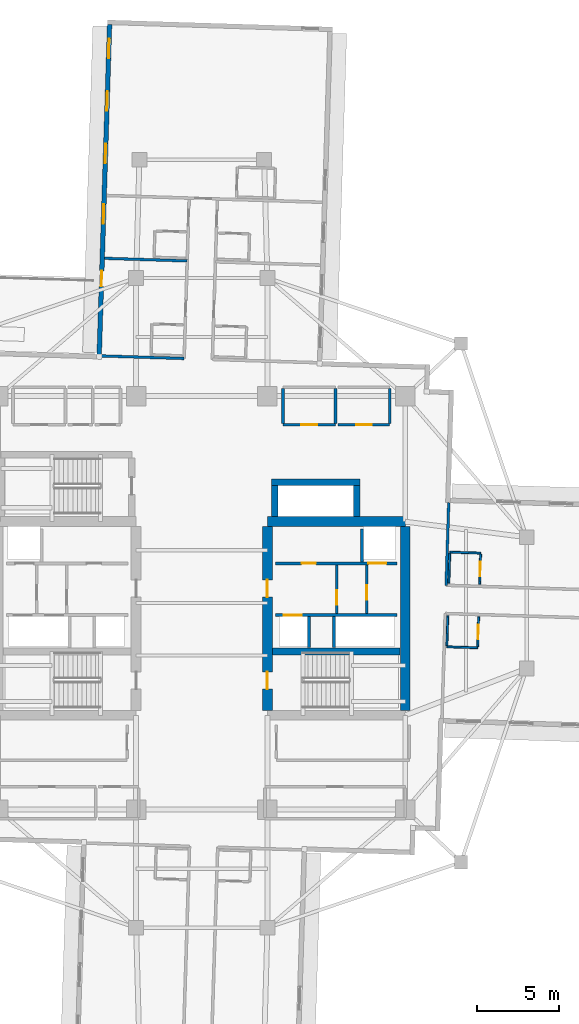
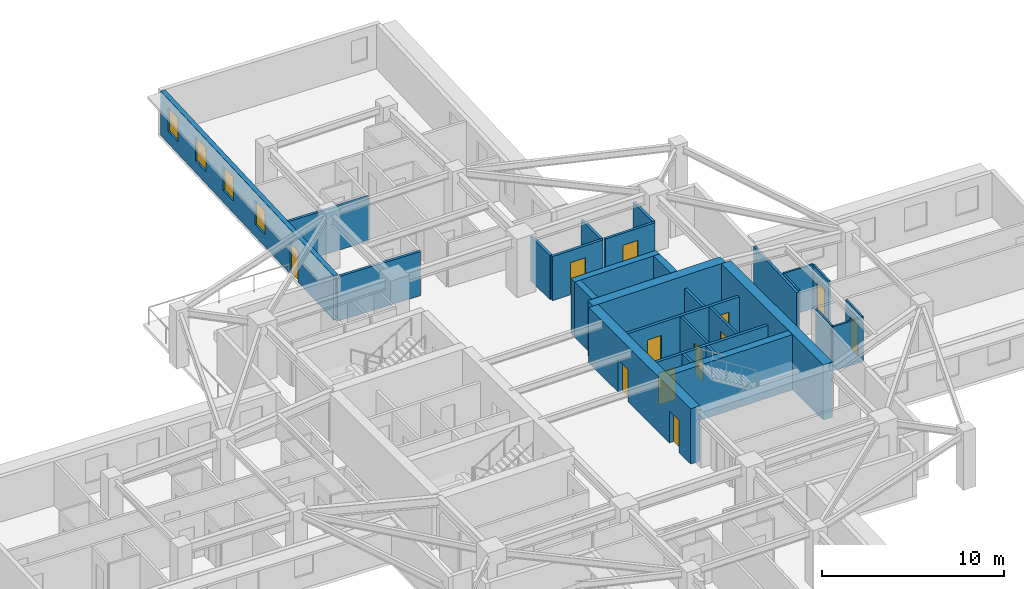
# One storey, part 6 of 13: 29 walls, 12 doors, 4 windows, 16 openings.
"""IFC4 building model written with IfcOpenShell, lengths in metres."""

from ifc_helpers import new_model, si_unit, direction, frame, frame_2d, origin, place, context, subcontext, project, spatial, rectangle, extrude, material, layer, layer_set, type_object, element, fill, save


model = new_model("IFC4")

# Units and contexts
model_context = context("Model", 3, precision=1e-05, world=origin(), true_north=direction((0.0, 1.0)))
body_context = subcontext(model_context, "Body", "Model", "MODEL_VIEW")
ifc_project = project(units=[si_unit("LENGTHUNIT", "METRE"), si_unit("AREAUNIT", "SQUARE_METRE"), si_unit("VOLUMEUNIT", "CUBIC_METRE"), si_unit("PLANEANGLEUNIT", "RADIAN"), si_unit("MASSUNIT", "GRAM", prefix="KILO")], contexts=[model_context])

# Site, building, storey
site_placement = place(None, origin())
site = spatial("IfcSite", under=ifc_project, at=site_placement, CompositionType="ELEMENT")
building_placement = place(site_placement, origin())
building = spatial("IfcBuilding", under=site, at=building_placement, Name="Qingluan Cross Belvedere", CompositionType="ELEMENT")
storey_placement = place(building_placement, frame((0.0, 0.0, 152.699951171875)))
storey = spatial("IfcBuildingStorey", under=building, at=storey_placement, Name="L38", CompositionType="ELEMENT", Elevation=152.699951171875)

# Walls
ifc_material_1 = material(Name="Concrete C50", Category="concrete")
ifc_layer_1 = layer(ifc_material_1, 0.449951171875, Name="CoreShearWall_450")
ifc_layer_set_1 = layer_set([ifc_layer_1], Name="Concrete C50")
wall_type_1 = type_object("IfcWallType", Name="CoreShearWall_450", PredefinedType="SHEAR", material=ifc_layer_set_1)
wall_1_placement = place(storey_placement, frame((4.304931640625, -2.9599609375, 0.0), z_axis=(0.0, 0.0, 1.0), x_axis=(1.0, 0.0, 0.0)))
element("IfcWall", 1, at=wall_1_placement, inside=storey, type_object=wall_type_1, Name="Split core E shear wall L38-M", PredefinedType="SHEAR", context=body_context, shape_type="SweptSolid", body=[
    extrude(rectangle(XDim=7.7900390625, YDim=0.449951171875, at=frame_2d((3.89501953125, 0.0))), origin(), (0.0, 0.0, 1.0), 3.699951171875),
])
wall_2_placement = place(storey_placement, frame((4.449951171875, 5.2548828125, 0.0), z_axis=(0.0, 0.0, 1.0), x_axis=(0.0, 1.0, 0.0)))
element("IfcWall", 2, at=wall_2_placement, inside=storey, type_object=wall_type_1, Name="Express shuttle core wall L38-W", PredefinedType="SHEAR", context=body_context, shape_type="SweptSolid", body=[
    extrude(rectangle(XDim=1.885009765625, YDim=0.39990234375, at=frame_2d((0.9423828125, 0.0))), origin(), (0.0, 0.0, 1.0), 3.699951171875),
])
wall_3_placement = place(storey_placement, frame((4.25, 7.35009765625, 0.0), z_axis=(0.0, 0.0, 1.0), x_axis=(1.0, 0.0, 0.0)))
element("IfcWall", 3, at=wall_3_placement, inside=storey, type_object=wall_type_1, Name="Express shuttle core wall L38-N", PredefinedType="SHEAR", context=body_context, shape_type="SweptSolid", body=[
    extrude(rectangle(XDim=5.39990234375, YDim=0.39990234375, at=frame_2d((2.699951171875, 0.0))), origin(), (0.0, 0.0, 1.0), 3.699951171875),
])
wall_4_placement = place(storey_placement, frame((9.449951171875, 5.2548828125, 0.0), z_axis=(0.0, 0.0, 1.0), x_axis=(0.0, 1.0, 0.0)))
element("IfcWall", 4, at=wall_4_placement, inside=storey, type_object=wall_type_1, Name="Express shuttle core wall L38-E", PredefinedType="SHEAR", context=body_context, shape_type="SweptSolid", body=[
    extrude(rectangle(XDim=1.885009765625, YDim=0.39990234375, at=frame_2d((0.9423828125, 0.0))), origin(), (0.0, 0.0, 1.0), 3.699951171875),
])
ifc_material_2 = material(Name="Concrete C60", Category="concrete")
ifc_layer_2 = layer(ifc_material_2, 0.60009765625, Name="CoreShearWall_600")
ifc_layer_set_2 = layer_set([ifc_layer_2], Name="Concrete C60")
wall_type_2 = type_object("IfcWallType", Name="CoreShearWall_600", PredefinedType="SHEAR", material=ifc_layer_set_2)
wall_5_placement = place(storey_placement, frame((4.0, 4.949951171875, 0.0), z_axis=(0.0, 0.0, 1.0), x_axis=(1.0, 0.0, 0.0)))
element("IfcWall", 5, at=wall_5_placement, inside=storey, type_object=wall_type_2, Name="Split core E shear wall L38-N", PredefinedType="SHEAR", context=body_context, shape_type="SweptSolid", body=[
    extrude(rectangle(XDim=8.39990234375, YDim=0.60009765625, at=frame_2d((4.199951171875, 0.0))), origin(), (0.0, 0.0, 1.0), 3.699951171875),
])

# Wall, openings, doors
wall_6_placement = place(storey_placement, frame((4.0, -6.544921875, 0.0), z_axis=(0.0, 0.0, 1.0), x_axis=(0.0, 1.0, 0.0)))
wall_6 = element("IfcWall", 6, at=wall_6_placement, inside=storey, type_object=wall_type_2, Name="Split core E shear wall L38-W", PredefinedType="SHEAR", context=body_context, shape_type="SweptSolid", body=[
    extrude(rectangle(XDim=11.18994140625, YDim=0.60009765625, at=frame_2d((5.594970703125, 0.0))), origin(), (0.0, 0.0, 1.0), 3.699951171875),
])
opening_1_placement = place(wall_6_placement, frame((1.294921875, 0.0, 0.0)))
opening_1 = element("IfcOpeningElement", 7, at=opening_1_placement, cuts=wall_6, Name="Opening FD-B11", PredefinedType="OPENING", context=body_context, shape_type="SweptSolid", body=[
    extrude(rectangle(XDim=1.050048828125, YDim=2.14990234375, at=frame_2d((0.52490234375, 1.074951171875))), frame((0.0, 0.31005859375, 0.0), z_axis=(0.0, -1.0, 0.0), x_axis=(1.0, 0.0, 0.0)), (0.0, 0.0, 1.0), 0.6201171875),
])
opening_2_placement = place(wall_6_placement, frame((6.89501953125, 0.0, 0.0)))
opening_2 = element("IfcOpeningElement", 8, at=opening_2_placement, cuts=wall_6, Name="Opening FD-B11", PredefinedType="OPENING", context=body_context, shape_type="SweptSolid", body=[
    extrude(rectangle(XDim=1.050048828125, YDim=2.14990234375, at=frame_2d((0.52490234375, 1.074951171875))), frame((0.0, 0.31005859375, 0.0), z_axis=(0.0, -1.0, 0.0), x_axis=(1.0, 0.0, 0.0)), (0.0, 0.0, 1.0), 0.6201171875),
])
ifc_material_3 = material(Name="Steel Class B smoke-seal fire door", Category="steel")
door_type_1 = type_object("IfcDoorType", Name="StairLobbyFireDoor_FDB", OperationType="NOTDEFINED", PredefinedType="DOOR", material=ifc_material_3)
door_1_placement = place(opening_1_placement, origin())
door_1 = element("IfcDoor", 9, at=door_1_placement, inside=storey, type_object=door_type_1, Name="Smoke-proof stair ST2 fire door L38", OperationType="SINGLE_SWING_LEFT", OverallHeight=2.14990234375, OverallWidth=1.050048828125, PredefinedType="DOOR", context=body_context, shape_type="SweptSolid", body=[
    extrude(rectangle(XDim=1.050048828125, YDim=2.14990234375, at=frame_2d((0.52490234375, 1.074951171875))), frame((0.0, 0.02490234375, 0.0), z_axis=(0.0, -1.0, 0.0), x_axis=(1.0, 0.0, 0.0)), (0.0, 0.0, 1.0), 0.050048828125),
])
fill(opening_1, door_1)
door_2_placement = place(opening_2_placement, origin())
door_2 = element("IfcDoor", 10, at=door_2_placement, inside=storey, type_object=door_type_1, Name="Firefighting lobby East fire door L38", OperationType="SINGLE_SWING_LEFT", OverallHeight=2.14990234375, OverallWidth=1.050048828125, PredefinedType="DOOR", context=body_context, shape_type="SweptSolid", body=[
    extrude(rectangle(XDim=1.050048828125, YDim=2.14990234375, at=frame_2d((0.52490234375, 1.074951171875))), frame((0.0, 0.02490234375, 0.0), z_axis=(0.0, -1.0, 0.0), x_axis=(1.0, 0.0, 0.0)), (0.0, 0.0, 1.0), 0.050048828125),
])
fill(opening_2, door_2)

# Wall
wall_7_placement = place(storey_placement, frame((12.39990234375, -6.544921875, 0.0), z_axis=(0.0, 0.0, 1.0), x_axis=(0.0, 1.0, 0.0)))
element("IfcWall", 11, at=wall_7_placement, inside=storey, type_object=wall_type_2, Name="Split core E shear wall L38-E", PredefinedType="SHEAR", context=body_context, shape_type="SweptSolid", body=[
    extrude(rectangle(XDim=11.18994140625, YDim=0.60009765625, at=frame_2d((5.594970703125, 0.0))), origin(), (0.0, 0.0, 1.0), 3.699951171875),
])

# Wall, opening, door
ifc_material_4 = material(Name="Gypsum plasterboard on steel stud acoustic partition", Category="steel")
ifc_layer_3 = layer(ifc_material_4, 0.159912109375, Name="CorridorPartition_160")
ifc_layer_set_3 = layer_set([ifc_layer_3], Name="Gypsum plasterboard on steel stud acoustic partition")
wall_type_3 = type_object("IfcWallType", Name="CorridorPartition_160", PredefinedType="PARTITIONING", material=ifc_layer_set_3)
wall_8_placement = place(storey_placement, frame((10.050048828125, -0.652099609375, 0.0), z_axis=(0.0, 0.0, 1.0), x_axis=(0.0, 1.0, 0.0)))
wall_8 = element("IfcWall", 12, at=wall_8_placement, inside=storey, type_object=wall_type_3, Name="Partition L38:ev", PredefinedType="PARTITIONING", context=body_context, shape_type="SweptSolid", body=[
    extrude(rectangle(XDim=2.962158203125, YDim=0.139892578125, at=frame_2d((1.48095703125, 0.0))), origin(), (0.0, 0.0, 1.0), 2.9599609375),
])
opening_3_placement = place(wall_8_placement, frame((0.85009765625, 0.0, 0.0)))
opening_3 = element("IfcOpeningElement", 13, at=opening_3_placement, cuts=wall_8, Name="Opening FD-B10", PredefinedType="OPENING", context=body_context, shape_type="SweptSolid", body=[
    extrude(rectangle(XDim=0.8798828125, YDim=2.10009765625, at=frame_2d((0.43994140625, 1.050048828125))), frame((0.0, 0.079833984375, 0.0), z_axis=(0.0, -1.0, 0.0), x_axis=(1.0, 0.0, 0.0)), (0.0, 0.0, 1.0), 0.159912109375),
])
ifc_material_5 = material(Name="Steel Class B service fire door", Category="steel")
door_type_2 = type_object("IfcDoorType", Name="RiserServiceFireDoor_FDB", OperationType="NOTDEFINED", PredefinedType="DOOR", material=ifc_material_5)
door_3_placement = place(opening_3_placement, origin())
door_3 = element("IfcDoor", 14, at=door_3_placement, inside=storey, type_object=door_type_2, Name="Service closet inner door L38", OperationType="SINGLE_SWING_RIGHT", OverallHeight=2.10009765625, OverallWidth=0.8798828125, PredefinedType="DOOR", context=body_context, shape_type="SweptSolid", body=[
    extrude(rectangle(XDim=0.8798828125, YDim=2.10009765625, at=frame_2d((0.43994140625, 1.050048828125))), frame((0.0, 0.02490234375, 0.0), z_axis=(0.0, -1.0, 0.0), x_axis=(1.0, 0.0, 0.0)), (0.0, 0.0, 1.0), 0.050048828125),
])
fill(opening_3, door_3)

wall_9_placement = place(storey_placement, frame((4.949951171875, 10.85009765625, 0.0), z_axis=(0.0, 0.0, 1.0), x_axis=(1.0, 0.0, 0.0)))
wall_9 = element("IfcWall", 15, at=wall_9_placement, inside=storey, type_object=wall_type_3, Name="Partition L38:q_ne1:S", PredefinedType="PARTITIONING", context=body_context, shape_type="SweptSolid", body=[
    extrude(rectangle(XDim=3.199951171875, YDim=0.159912109375, at=frame_2d((1.60009765625, 0.0))), origin(), (0.0, 0.0, 1.0), 2.9599609375),
])
opening_4_placement = place(wall_9_placement, frame((1.1201171875, 0.0, 0.0)))
opening_4 = element("IfcOpeningElement", 16, at=opening_4_placement, cuts=wall_9, Name="Opening GD-10", PredefinedType="OPENING", context=body_context, shape_type="SweptSolid", body=[
    extrude(rectangle(XDim=0.9599609375, YDim=2.14990234375, at=frame_2d((0.47998046875, 1.074951171875))), frame((0.0, 0.08984375, 0.0), z_axis=(0.0, -1.0, 0.0), x_axis=(1.0, 0.0, 0.0)), (0.0, 0.0, 1.0), 0.179931640625),
])
ifc_material_6 = material(Name="Timber oak fire-rated acoustic guestroom door", Category="wood")
door_type_3 = type_object("IfcDoorType", Name="GuestEntryDoor_FD60", OperationType="NOTDEFINED", PredefinedType="DOOR", material=ifc_material_6)
door_4_placement = place(opening_4_placement, origin())
door_4 = element("IfcDoor", 17, at=door_4_placement, inside=storey, type_object=door_type_3, Name="Boardroom seminar suite L38 door", OperationType="SINGLE_SWING_LEFT", OverallHeight=2.14990234375, OverallWidth=0.9599609375, PredefinedType="DOOR", context=body_context, shape_type="SweptSolid", body=[
    extrude(rectangle(XDim=0.9599609375, YDim=2.14990234375, at=frame_2d((0.47998046875, 1.074951171875))), frame((0.0, 0.02490234375, 0.0), z_axis=(0.0, -1.0, 0.0), x_axis=(1.0, 0.0, 0.0)), (0.0, 0.0, 1.0), 0.050048828125),
])
fill(opening_4, door_4)

# Walls
for number, where, z_axis, x_axis, name in (
    (18, (4.949951171875, 10.93505859375, 0.0), (0.0, 0.0, 1.0), (0.0, 1.0, 0.0), "Partition L38:q_ne1:W"),
    (19, (8.14990234375, 10.93505859375, 0.0), (0.0, 0.0, 1.0), (0.0, 1.0, 0.0), "Partition L38:q_ne1:E"),
):
    element("IfcWall", number, at=place(storey_placement, frame(where, z_axis=z_axis, x_axis=x_axis)), inside=storey, type_object=wall_type_3, Name=name, PredefinedType="PARTITIONING", context=body_context, shape_type="SweptSolid", body=[
        extrude(rectangle(XDim=2.1298828125, YDim=0.159912109375, at=frame_2d((1.06494140625, 0.0))), origin(), (0.0, 0.0, 1.0), 2.9599609375),
    ])

# Wall, opening, door
wall_10_placement = place(storey_placement, frame((8.31005859375, 10.85009765625, 0.0), z_axis=(0.0, 0.0, 1.0), x_axis=(1.0, 0.0, 0.0)))
wall_10 = element("IfcWall", 20, at=wall_10_placement, inside=storey, type_object=wall_type_3, Name="Partition L38:q_ne2:S", PredefinedType="PARTITIONING", context=body_context, shape_type="SweptSolid", body=[
    extrude(rectangle(XDim=3.139892578125, YDim=0.159912109375, at=frame_2d((1.56982421875, 0.0))), origin(), (0.0, 0.0, 1.0), 2.9599609375),
])
opening_5_placement = place(wall_10_placement, frame((1.090087890625, 0.0, 0.0)))
opening_5 = element("IfcOpeningElement", 21, at=opening_5_placement, cuts=wall_10, Name="Opening GD-10", PredefinedType="OPENING", context=body_context, shape_type="SweptSolid", body=[
    extrude(rectangle(XDim=0.9599609375, YDim=2.14990234375, at=frame_2d((0.47998046875, 1.074951171875))), frame((0.0, 0.08984375, 0.0), z_axis=(0.0, -1.0, 0.0), x_axis=(1.0, 0.0, 0.0)), (0.0, 0.0, 1.0), 0.179931640625),
])
door_5_placement = place(opening_5_placement, origin())
door_5 = element("IfcDoor", 22, at=door_5_placement, inside=storey, type_object=door_type_3, Name="Northeast quiet study L38 door", OperationType="SINGLE_SWING_RIGHT", OverallHeight=2.14990234375, OverallWidth=0.9599609375, PredefinedType="DOOR", context=body_context, shape_type="SweptSolid", body=[
    extrude(rectangle(XDim=0.9599609375, YDim=2.14990234375, at=frame_2d((0.47998046875, 1.074951171875))), frame((0.0, 0.02490234375, 0.0), z_axis=(0.0, -1.0, 0.0), x_axis=(1.0, 0.0, 0.0)), (0.0, 0.0, 1.0), 0.050048828125),
])
fill(opening_5, door_5)

# Walls
wall_11_placement = place(storey_placement, frame((11.449951171875, 10.93505859375, 0.0), z_axis=(0.0, 0.0, 1.0), x_axis=(0.0, 1.0, 0.0)))
element("IfcWall", 23, at=wall_11_placement, inside=storey, type_object=wall_type_3, Name="Partition L38:q_ne2:E", PredefinedType="PARTITIONING", context=body_context, shape_type="SweptSolid", body=[
    extrude(rectangle(XDim=2.1298828125, YDim=0.159912109375, at=frame_2d((1.06494140625, 0.0))), origin(), (0.0, 0.0, 1.0), 2.9599609375),
])
wall_12_placement = place(storey_placement, frame((14.89111328125, 1.07275390625, 0.0), z_axis=(0.0, 0.0, 1.0), x_axis=(0.031390765058, 0.999507188503, 0.0)))
element("IfcWall", 24, at=wall_12_placement, inside=storey, type_object=wall_type_3, Name="Partition L38:E:s0", PredefinedType="PARTITIONING", context=body_context, shape_type="SweptSolid", body=[
    extrude(rectangle(XDim=5.031982421875, YDim=0.159912109375, at=frame_2d((2.51611328125, 0.0))), origin(), (0.0, 0.0, 1.0), 2.9599609375),
])
wall_13_placement = place(storey_placement, frame((-1.07275390625, 14.89111328125, 0.0), z_axis=(0.0, 0.0, 1.0), x_axis=(-0.999507236092, 0.03138924974, 0.0)))
element("IfcWall", 25, at=wall_13_placement, inside=storey, type_object=wall_type_3, Name="Partition L38:N:s1", PredefinedType="PARTITIONING", context=body_context, shape_type="SweptSolid", body=[
    extrude(rectangle(XDim=5.179931640625, YDim=0.159912109375, at=frame_2d((2.58984375, 0.0))), origin(), (0.0, 0.0, 1.0), 2.9599609375),
])
wall_14_placement = place(storey_placement, frame((-0.885986328125, 20.838134765625, 0.0), z_axis=(0.0, 0.0, 1.0), x_axis=(-0.999507140691, 0.03139228738, 0.0)))
element("IfcWall", 26, at=wall_14_placement, inside=storey, type_object=wall_type_3, Name="Partition L38:N:d1_0", PredefinedType="PARTITIONING", context=body_context, shape_type="SweptSolid", body=[
    extrude(rectangle(XDim=5.03173828125, YDim=0.159912109375, at=frame_2d((2.515869140625, 0.0))), origin(), (0.0, 0.0, 1.0), 2.9599609375),
])

# Wall, opening, door
ifc_material_7 = material(Name="Moisture-resistant gypsum board lining")
ifc_layer_4 = layer(ifc_material_7, 0.1201171875, Name="EnsuiteWetPartition_120")
ifc_layer_set_4 = layer_set([ifc_layer_4], Name="Moisture-resistant gypsum board lining")
wall_type_4 = type_object("IfcWallType", Name="EnsuiteWetPartition_120", PredefinedType="PARTITIONING", material=ifc_layer_set_4)
wall_15_placement = place(storey_placement, frame((16.934326171875, 1.148681640625, 0.0), z_axis=(0.0, 0.0, 1.0), x_axis=(0.03152371574, 0.999503004171, 0.0)))
wall_15 = element("IfcWall", 27, at=wall_15_placement, inside=storey, type_object=wall_type_4, Name="Partition L38:E:bs0_0", PredefinedType="PARTITIONING", context=body_context, shape_type="SweptSolid", body=[
    extrude(rectangle(XDim=1.820068359375, YDim=0.1201171875, at=frame_2d((0.91015625, 0.0))), origin(), (0.0, 0.0, 1.0), 2.9599609375),
])
opening_6_placement = place(wall_15_placement, frame((0.469970703125, 0.0, 0.0)))
opening_6 = element("IfcOpeningElement", 28, at=opening_6_placement, cuts=wall_15, Name="Opening BD-09", PredefinedType="OPENING", context=body_context, shape_type="SweptSolid", body=[
    extrude(rectangle(XDim=0.8798828125, YDim=2.10009765625, at=frame_2d((0.43994140625, 1.050048828125))), frame((0.0, 0.070068359375, 0.0), z_axis=(0.0, -1.0, 0.0), x_axis=(1.0, 0.0, 0.0)), (0.0, 0.0, 1.0), 0.14013671875),
])
ifc_material_8 = material(Name="Moisture-sealed timber en-suite door", Category="wood")
door_type_4 = type_object("IfcDoorType", Name="BathroomDoor_880", OperationType="NOTDEFINED", PredefinedType="DOOR", material=ifc_material_8)
door_6_placement = place(opening_6_placement, origin())
door_6 = element("IfcDoor", 29, at=door_6_placement, inside=storey, type_object=door_type_4, Name="Bathroom door 3801", OperationType="SINGLE_SWING_LEFT", OverallHeight=2.10009765625, OverallWidth=0.8798828125, PredefinedType="DOOR", context=body_context, shape_type="SweptSolid", body=[
    extrude(rectangle(XDim=0.8798828125, YDim=2.10009765625, at=frame_2d((0.43994140625, 1.050048828125))), frame((0.0, 0.02490234375, 0.0), z_axis=(0.0, -1.0, 0.0), x_axis=(1.0, 0.0, 0.0)), (0.0, 0.0, 1.0), 0.050048828125),
])
fill(opening_6, door_6)

# Walls
wall_16_placement = place(storey_placement, frame((15.055419921875, 1.207763671875, 0.0), z_axis=(0.0, 0.0, 1.0), x_axis=(0.031389704724, 0.999507221803, 0.0)))
element("IfcWall", 30, at=wall_16_placement, inside=storey, type_object=wall_type_4, Name="Partition L38:E:bw0_0", PredefinedType="PARTITIONING", context=body_context, shape_type="SweptSolid", body=[
    extrude(rectangle(XDim=1.820068359375, YDim=0.1201171875, at=frame_2d((0.91015625, 0.0))), origin(), (0.0, 0.0, 1.0), 2.9599609375),
])
wall_17_placement = place(storey_placement, frame((15.114501953125, 3.091796875, 0.0), z_axis=(0.0, 0.0, 1.0), x_axis=(0.999506103526, -0.031425292588, 0.0)))
element("IfcWall", 31, at=wall_17_placement, inside=storey, type_object=wall_type_4, Name="Partition L38:E:bn0_0", PredefinedType="PARTITIONING", context=body_context, shape_type="SweptSolid", body=[
    extrude(rectangle(XDim=1.880126953125, YDim=0.1201171875, at=frame_2d((0.93994140625, 0.0))), origin(), (0.0, 0.0, 1.0), 2.9599609375),
])

# Wall, opening, door
wall_18_placement = place(storey_placement, frame((16.814453125, -2.66943359375, 0.0), z_axis=(0.0, 0.0, 1.0), x_axis=(0.031389704724, 0.999507221803, 0.0)))
wall_18 = element("IfcWall", 32, at=wall_18_placement, inside=storey, type_object=wall_type_4, Name="Partition L38:E:bs1_0", PredefinedType="PARTITIONING", context=body_context, shape_type="SweptSolid", body=[
    extrude(rectangle(XDim=1.820068359375, YDim=0.1201171875, at=frame_2d((0.91015625, 0.0))), origin(), (0.0, 0.0, 1.0), 2.9599609375),
])
opening_7_placement = place(wall_18_placement, frame((0.469970703125, 0.0, 0.0)))
opening_7 = element("IfcOpeningElement", 33, at=opening_7_placement, cuts=wall_18, Name="Opening BD-09", PredefinedType="OPENING", context=body_context, shape_type="SweptSolid", body=[
    extrude(rectangle(XDim=0.8798828125, YDim=2.10009765625, at=frame_2d((0.43994140625, 1.050048828125))), frame((0.0, 0.070068359375, 0.0), z_axis=(0.0, -1.0, 0.0), x_axis=(1.0, 0.0, 0.0)), (0.0, 0.0, 1.0), 0.14013671875),
])
door_7_placement = place(opening_7_placement, origin())
door_7 = element("IfcDoor", 34, at=door_7_placement, inside=storey, type_object=door_type_4, Name="Bathroom door 3802", OperationType="SINGLE_SWING_LEFT", OverallHeight=2.10009765625, OverallWidth=0.8798828125, PredefinedType="DOOR", context=body_context, shape_type="SweptSolid", body=[
    extrude(rectangle(XDim=0.8798828125, YDim=2.10009765625, at=frame_2d((0.43994140625, 1.050048828125))), frame((0.0, 0.02490234375, 0.0), z_axis=(0.0, -1.0, 0.0), x_axis=(1.0, 0.0, 0.0)), (0.0, 0.0, 1.0), 0.050048828125),
])
fill(opening_7, door_7)

# Walls
wall_19_placement = place(storey_placement, frame((14.935302734375, -2.6103515625, 0.0), z_axis=(0.0, 0.0, 1.0), x_axis=(0.031389704724, 0.999507221803, 0.0)))
element("IfcWall", 35, at=wall_19_placement, inside=storey, type_object=wall_type_4, Name="Partition L38:E:bw1_0", PredefinedType="PARTITIONING", context=body_context, shape_type="SweptSolid", body=[
    extrude(rectangle(XDim=1.820068359375, YDim=0.1201171875, at=frame_2d((0.91015625, 0.0))), origin(), (0.0, 0.0, 1.0), 2.9599609375),
])
wall_20_placement = place(storey_placement, frame((14.933349609375, -2.67529296875, 0.0), z_axis=(0.0, 0.0, 1.0), x_axis=(0.999506103526, -0.031425292588, 0.0)))
element("IfcWall", 36, at=wall_20_placement, inside=storey, type_object=wall_type_4, Name="Partition L38:E:bc1_0", PredefinedType="PARTITIONING", context=body_context, shape_type="SweptSolid", body=[
    extrude(rectangle(XDim=1.880126953125, YDim=0.1201171875, at=frame_2d((0.93994140625, 0.0))), origin(), (0.0, 0.0, 1.0), 2.9599609375),
])

# Wall, openings, windows, door
ifc_material_9 = material(Name="Precast concrete C45", Category="concrete")
ifc_layer_5 = layer(ifc_material_9, 0.280029296875, Name="PrecastFacadeWall_280")
ifc_layer_set_5 = layer_set([ifc_layer_5], Name="Precast concrete C45")
wall_type_5 = type_object("IfcWallType", Name="PrecastFacadeWall_280", PredefinedType="STANDARD", material=ifc_layer_set_5)
wall_21_placement = place(storey_placement, frame((-5.6162109375, 35.23388671875, 0.0), z_axis=(0.0, 0.0, 1.0), x_axis=(-0.031398187845, -0.999506955354, 0.0)))
wall_21 = element("IfcWall", 37, at=wall_21_placement, inside=storey, type_object=wall_type_5, Name="Facade wall L38-NB", PredefinedType="STANDARD", context=body_context, shape_type="SweptSolid", body=[
    extrude(rectangle(XDim=20.10009765625, YDim=0.280029296875, at=frame_2d((10.050048828125, 0.0))), origin(), (0.0, 0.0, 1.0), 2.969970703125),
])
opening_8_placement = place(wall_21_placement, frame((0.85009765625, 0.0, 0.800048828125)))
opening_8 = element("IfcOpeningElement", 38, at=opening_8_placement, cuts=wall_21, Name="Opening W-02", PredefinedType="OPENING", context=body_context, shape_type="SweptSolid", body=[
    extrude(rectangle(XDim=1.199951171875, YDim=1.60009765625, at=frame_2d((0.60009765625, 0.800048828125))), frame((0.0, 0.14990234375, 0.0), z_axis=(0.0, -1.0, 0.0), x_axis=(1.0, 0.0, 0.0)), (0.0, 0.0, 1.0), 0.300048828125),
])
opening_9_placement = place(wall_21_placement, frame((4.050048828125, 0.0, 0.800048828125)))
opening_9 = element("IfcOpeningElement", 39, at=opening_9_placement, cuts=wall_21, Name="Opening W-02", PredefinedType="OPENING", context=body_context, shape_type="SweptSolid", body=[
    extrude(rectangle(XDim=1.199951171875, YDim=1.60009765625, at=frame_2d((0.60009765625, 0.800048828125))), frame((0.0, 0.14990234375, 0.0), z_axis=(0.0, -1.0, 0.0), x_axis=(1.0, 0.0, 0.0)), (0.0, 0.0, 1.0), 0.300048828125),
])
opening_10_placement = place(wall_21_placement, frame((7.25, 0.0, 0.800048828125)))
opening_10 = element("IfcOpeningElement", 40, at=opening_10_placement, cuts=wall_21, Name="Opening W-02", PredefinedType="OPENING", context=body_context, shape_type="SweptSolid", body=[
    extrude(rectangle(XDim=1.199951171875, YDim=1.60009765625, at=frame_2d((0.60009765625, 0.800048828125))), frame((0.0, 0.14990234375, 0.0), z_axis=(0.0, -1.0, 0.0), x_axis=(1.0, 0.0, 0.0)), (0.0, 0.0, 1.0), 0.300048828125),
])
opening_11_placement = place(wall_21_placement, frame((10.949951171875, 0.0, 0.800048828125)))
opening_11 = element("IfcOpeningElement", 41, at=opening_11_placement, cuts=wall_21, Name="Opening W-02", PredefinedType="OPENING", context=body_context, shape_type="SweptSolid", body=[
    extrude(rectangle(XDim=1.199951171875, YDim=1.60009765625, at=frame_2d((0.60009765625, 0.800048828125))), frame((0.0, 0.14990234375, 0.0), z_axis=(0.0, -1.0, 0.0), x_axis=(1.0, 0.0, 0.0)), (0.0, 0.0, 1.0), 0.300048828125),
])
opening_12_placement = place(wall_21_placement, frame((15.0, 0.0, 0.0)))
opening_12 = element("IfcOpeningElement", 42, at=opening_12_placement, cuts=wall_21, Name="Opening WD-10", PredefinedType="OPENING", context=body_context, shape_type="SweptSolid", body=[
    extrude(rectangle(XDim=0.9599609375, YDim=2.10009765625, at=frame_2d((0.47998046875, 1.050048828125))), frame((0.0, 0.14990234375, 0.0), z_axis=(0.0, -1.0, 0.0), x_axis=(1.0, 0.0, 0.0)), (0.0, 0.0, 1.0), 0.300048828125),
])
ifc_material_10 = material(Name="Thermally broken triple Low-E glass in aluminium frame", Category="aluminium")
window_type = type_object("IfcWindowType", Name="TriRibbonWin_1200x1600", PartitioningType="SINGLE_PANEL", PredefinedType="WINDOW", material=ifc_material_10)
window_1_placement = place(opening_8_placement, origin())
window_1 = element("IfcWindow", 43, at=window_1_placement, inside=storey, type_object=window_type, Name="Ribbon window L38-NB-1", OverallHeight=1.60009765625, OverallWidth=1.199951171875, PartitioningType="SINGLE_PANEL", PredefinedType="WINDOW", context=body_context, shape_type="SweptSolid", body=[
    extrude(rectangle(XDim=1.199951171875, YDim=1.60009765625, at=frame_2d((0.60009765625, 0.800048828125))), frame((0.0, 0.030029296875, 0.0), z_axis=(0.0, -1.0, 0.0), x_axis=(1.0, 0.0, 0.0)), (0.0, 0.0, 1.0), 0.06005859375),
])
fill(opening_8, window_1)
window_2_placement = place(opening_9_placement, origin())
window_2 = element("IfcWindow", 44, at=window_2_placement, inside=storey, type_object=window_type, Name="Ribbon window L38-NB-2", OverallHeight=1.60009765625, OverallWidth=1.199951171875, PartitioningType="SINGLE_PANEL", PredefinedType="WINDOW", context=body_context, shape_type="SweptSolid", body=[
    extrude(rectangle(XDim=1.199951171875, YDim=1.60009765625, at=frame_2d((0.60009765625, 0.800048828125))), frame((0.0, 0.030029296875, 0.0), z_axis=(0.0, -1.0, 0.0), x_axis=(1.0, 0.0, 0.0)), (0.0, 0.0, 1.0), 0.06005859375),
])
fill(opening_9, window_2)
window_3_placement = place(opening_10_placement, origin())
window_3 = element("IfcWindow", 45, at=window_3_placement, inside=storey, type_object=window_type, Name="Ribbon window L38-NB-3", OverallHeight=1.60009765625, OverallWidth=1.199951171875, PartitioningType="SINGLE_PANEL", PredefinedType="WINDOW", context=body_context, shape_type="SweptSolid", body=[
    extrude(rectangle(XDim=1.199951171875, YDim=1.60009765625, at=frame_2d((0.60009765625, 0.800048828125))), frame((0.0, 0.030029296875, 0.0), z_axis=(0.0, -1.0, 0.0), x_axis=(1.0, 0.0, 0.0)), (0.0, 0.0, 1.0), 0.06005859375),
])
fill(opening_10, window_3)
window_4_placement = place(opening_11_placement, origin())
window_4 = element("IfcWindow", 46, at=window_4_placement, inside=storey, type_object=window_type, Name="Ribbon window L38-NB-4", OverallHeight=1.60009765625, OverallWidth=1.199951171875, PartitioningType="SINGLE_PANEL", PredefinedType="WINDOW", context=body_context, shape_type="SweptSolid", body=[
    extrude(rectangle(XDim=1.199951171875, YDim=1.60009765625, at=frame_2d((0.60009765625, 0.800048828125))), frame((0.0, 0.030029296875, 0.0), z_axis=(0.0, -1.0, 0.0), x_axis=(1.0, 0.0, 0.0)), (0.0, 0.0, 1.0), 0.06005859375),
])
fill(opening_11, window_4)
ifc_material_11 = material(Name="Thermally broken aluminium and Low-E glass", Category="aluminium")
door_type_5 = type_object("IfcDoorType", Name="WinterGardenDoor_096", OperationType="NOTDEFINED", PredefinedType="DOOR", material=ifc_material_11)
door_8_placement = place(opening_12_placement, origin())
door_8 = element("IfcDoor", 47, at=door_8_placement, inside=storey, type_object=door_type_5, Name="Outdoor terrace access door L38-spi", OperationType="SINGLE_SWING_LEFT", OverallHeight=2.10009765625, OverallWidth=0.9599609375, PredefinedType="DOOR", context=body_context, shape_type="SweptSolid", body=[
    extrude(rectangle(XDim=0.9599609375, YDim=2.10009765625, at=frame_2d((0.47998046875, 1.050048828125))), frame((0.0, 0.02490234375, 0.0), z_axis=(0.0, -1.0, 0.0), x_axis=(1.0, 0.0, 0.0)), (0.0, 0.0, 1.0), 0.050048828125),
])
fill(opening_12, door_8)

# Wall, openings, doors
ifc_material_12 = material(Name="Concrete C40", Category="concrete")
ifc_layer_6 = layer(ifc_material_12, 0.219970703125, Name="ShaftEnclosureWall_250")
ifc_layer_set_6 = layer_set([ifc_layer_6], Name="Concrete C40")
wall_type_6 = type_object("IfcWallType", Name="ShaftEnclosureWall_250", PredefinedType="SOLIDWALL", material=ifc_layer_set_6)
wall_22_placement = place(storey_placement, frame((4.47998046875, 2.409912109375, 0.0), z_axis=(0.0, 0.0, 1.0), x_axis=(1.0, 0.0, 0.0)))
wall_22 = element("IfcWall", 48, at=wall_22_placement, inside=storey, type_object=wall_type_6, Name="Core-E north hoistway wall L38", PredefinedType="SOLIDWALL", context=body_context, shape_type="SweptSolid", body=[
    extrude(rectangle(XDim=7.419921875, YDim=0.179931640625, at=frame_2d((3.7099609375, 0.0))), origin(), (0.0, 0.0, 1.0), 2.9599609375),
])
opening_13_placement = place(wall_22_placement, frame((5.669921875, 0.0, 0.0)))
opening_13 = element("IfcOpeningElement", 49, at=opening_13_placement, cuts=wall_22, Name="Opening LD-11", PredefinedType="OPENING", context=body_context, shape_type="SweptSolid", body=[
    extrude(rectangle(XDim=1.10009765625, YDim=2.14990234375, at=frame_2d((0.550048828125, 1.074951171875))), frame((0.0, 0.099853515625, 0.0), z_axis=(0.0, -1.0, 0.0), x_axis=(1.0, 0.0, 0.0)), (0.0, 0.0, 1.0), 0.199951171875),
])
opening_14_placement = place(wall_22_placement, frame((1.60009765625, 0.0, 0.0)))
opening_14 = element("IfcOpeningElement", 50, at=opening_14_placement, cuts=wall_22, Name="Opening FD-B10", PredefinedType="OPENING", context=body_context, shape_type="SweptSolid", body=[
    extrude(rectangle(XDim=0.8798828125, YDim=2.10009765625, at=frame_2d((0.43994140625, 1.050048828125))), frame((0.0, 0.099853515625, 0.0), z_axis=(0.0, -1.0, 0.0), x_axis=(1.0, 0.0, 0.0)), (0.0, 0.0, 1.0), 0.199951171875),
])
ifc_material_13 = material(Name="Brushed stainless steel centre-opening lift landing door", Category="steel")
door_type_6 = type_object("IfcDoorType", Name="LiftLandingSlidingDoor_1100", OperationType="DOUBLE_DOOR_SLIDING", PredefinedType="DOOR", material=ifc_material_13)
door_9_placement = place(opening_13_placement, origin())
door_9 = element("IfcDoor", 51, at=door_9_placement, inside=storey, type_object=door_type_6, Name="Lift landing sliding door FL2 L38", OperationType="DOUBLE_DOOR_SLIDING", OverallHeight=2.14990234375, OverallWidth=1.10009765625, PredefinedType="DOOR", context=body_context, shape_type="SweptSolid", body=[
    extrude(rectangle(XDim=1.10009765625, YDim=2.14990234375, at=frame_2d((0.550048828125, 1.074951171875))), frame((0.0, 0.02490234375, 0.0), z_axis=(0.0, -1.0, 0.0), x_axis=(1.0, 0.0, 0.0)), (0.0, 0.0, 1.0), 0.050048828125),
])
fill(opening_13, door_9)
door_10_placement = place(opening_14_placement, origin())
door_10 = element("IfcDoor", 52, at=door_10_placement, inside=storey, type_object=door_type_2, Name="Pantry room door E L38", OperationType="SINGLE_SWING_RIGHT", OverallHeight=2.10009765625, OverallWidth=0.8798828125, PredefinedType="DOOR", context=body_context, shape_type="SweptSolid", body=[
    extrude(rectangle(XDim=0.8798828125, YDim=2.10009765625, at=frame_2d((0.43994140625, 1.050048828125))), frame((0.0, 0.02490234375, 0.0), z_axis=(0.0, -1.0, 0.0), x_axis=(1.0, 0.0, 0.0)), (0.0, 0.0, 1.0), 0.050048828125),
])
fill(opening_14, door_10)

# Wall, opening, door
wall_23_placement = place(storey_placement, frame((4.47998046875, -0.75, 0.0), z_axis=(0.0, 0.0, 1.0), x_axis=(1.0, 0.0, 0.0)))
wall_23 = element("IfcWall", 53, at=wall_23_placement, inside=storey, type_object=wall_type_6, Name="Core-E mid hoistway wall L38", PredefinedType="SOLIDWALL", context=body_context, shape_type="SweptSolid", body=[
    extrude(rectangle(XDim=7.419921875, YDim=0.179931640625, at=frame_2d((3.7099609375, 0.0))), origin(), (0.0, 0.0, 1.0), 2.9599609375),
])
opening_15_placement = place(wall_23_placement, frame((0.52001953125, 0.0, 0.0)))
opening_15 = element("IfcOpeningElement", 54, at=opening_15_placement, cuts=wall_23, Name="Opening LD-11", PredefinedType="OPENING", context=body_context, shape_type="SweptSolid", body=[
    extrude(rectangle(XDim=1.10009765625, YDim=2.14990234375, at=frame_2d((0.550048828125, 1.074951171875))), frame((0.0, 0.099853515625, 0.0), z_axis=(0.0, -1.0, 0.0), x_axis=(1.0, 0.0, 0.0)), (0.0, 0.0, 1.0), 0.199951171875),
])
door_11_placement = place(opening_15_placement, origin())
door_11 = element("IfcDoor", 55, at=door_11_placement, inside=storey, type_object=door_type_6, Name="Lift landing sliding door LP7 L38", OperationType="DOUBLE_DOOR_SLIDING", OverallHeight=2.14990234375, OverallWidth=1.10009765625, PredefinedType="DOOR", context=body_context, shape_type="SweptSolid", body=[
    extrude(rectangle(XDim=1.10009765625, YDim=2.14990234375, at=frame_2d((0.550048828125, 1.074951171875))), frame((0.0, 0.02490234375, 0.0), z_axis=(0.0, -1.0, 0.0), x_axis=(1.0, 0.0, 0.0)), (0.0, 0.0, 1.0), 0.050048828125),
])
fill(opening_15, door_11)

# Walls
wall_24_placement = place(storey_placement, frame((9.760009765625, 2.5, 0.0), z_axis=(0.0, 0.0, 1.0), x_axis=(0.0, 1.0, 0.0)))
element("IfcWall", 56, at=wall_24_placement, inside=storey, type_object=wall_type_6, Name="Hoistway enclosure divider FL2W L38", PredefinedType="SOLIDWALL", context=body_context, shape_type="SweptSolid", body=[
    extrude(rectangle(XDim=1.989990234375, YDim=0.179931640625, at=frame_2d((0.9951171875, 0.0))), origin(), (0.0, 0.0, 1.0), 2.9599609375),
])
for number, where, z_axis, x_axis, name in (
    (57, (6.5400390625, -2.72998046875, 0.0), (0.0, 0.0, 1.0), (0.0, 1.0, 0.0), "Hoistway enclosure divider LP7E L38"),
    (58, (8.06005859375, -2.72998046875, 0.0), (0.0, 0.0, 1.0), (0.0, 1.0, 0.0), "Hoistway enclosure divider LP9W L38"),
):
    element("IfcWall", number, at=place(storey_placement, frame(where, z_axis=z_axis, x_axis=x_axis)), inside=storey, type_object=wall_type_6, Name=name, PredefinedType="SOLIDWALL", context=body_context, shape_type="SweptSolid", body=[
        extrude(rectangle(XDim=1.889892578125, YDim=0.179931640625, at=frame_2d((0.94482421875, 0.0))), origin(), (0.0, 0.0, 1.0), 2.9599609375),
    ])

# Wall, opening, door
wall_25_placement = place(storey_placement, frame((8.219970703125, -0.64990234375, 0.0), z_axis=(0.0, 0.0, 1.0), x_axis=(0.0, 1.0, 0.0)))
wall_25 = element("IfcWall", 59, at=wall_25_placement, inside=storey, type_object=wall_type_6, Name="Core-E service corridor wall L38", PredefinedType="SOLIDWALL", context=body_context, shape_type="SweptSolid", body=[
    extrude(rectangle(XDim=2.9599609375, YDim=0.139892578125, at=frame_2d((1.47998046875, 0.0))), origin(), (0.0, 0.0, 1.0), 2.9599609375),
])
opening_16_placement = place(wall_25_placement, frame((0.550048828125, 0.0, 0.0)))
opening_16 = element("IfcOpeningElement", 60, at=opening_16_placement, cuts=wall_25, Name="Opening FD-B10", PredefinedType="OPENING", context=body_context, shape_type="SweptSolid", body=[
    extrude(rectangle(XDim=0.8798828125, YDim=2.10009765625, at=frame_2d((0.43994140625, 1.050048828125))), frame((0.0, 0.079833984375, 0.0), z_axis=(0.0, -1.0, 0.0), x_axis=(1.0, 0.0, 0.0)), (0.0, 0.0, 1.0), 0.159912109375),
])
door_12_placement = place(opening_16_placement, origin())
door_12 = element("IfcDoor", 61, at=door_12_placement, inside=storey, type_object=door_type_2, Name="Core-E service room door L38", OperationType="SINGLE_SWING_RIGHT", OverallHeight=2.10009765625, OverallWidth=0.8798828125, PredefinedType="DOOR", context=body_context, shape_type="SweptSolid", body=[
    extrude(rectangle(XDim=0.8798828125, YDim=2.10009765625, at=frame_2d((0.43994140625, 1.050048828125))), frame((0.0, 0.02490234375, 0.0), z_axis=(0.0, -1.0, 0.0), x_axis=(1.0, 0.0, 0.0)), (0.0, 0.0, 1.0), 0.050048828125),
])
fill(opening_16, door_12)

save(model, "model.ifc")
